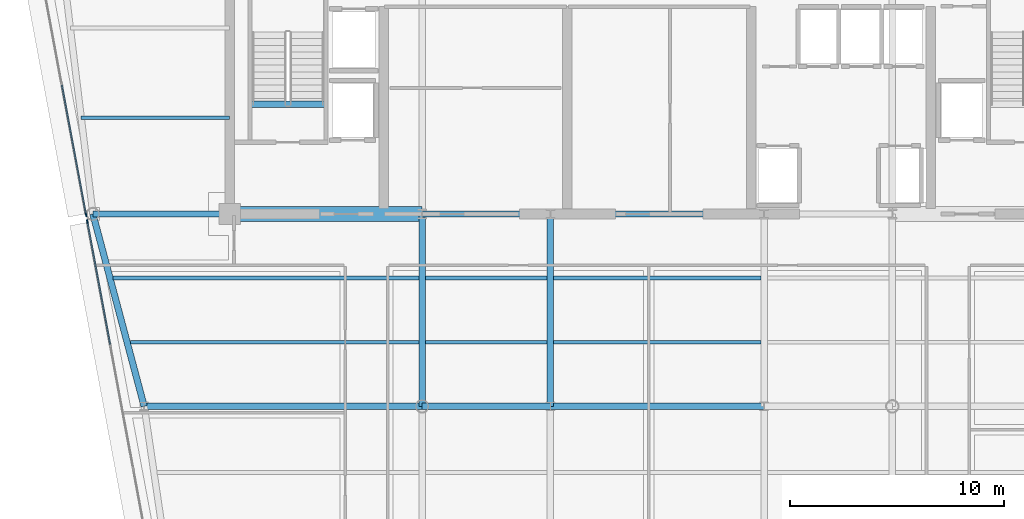
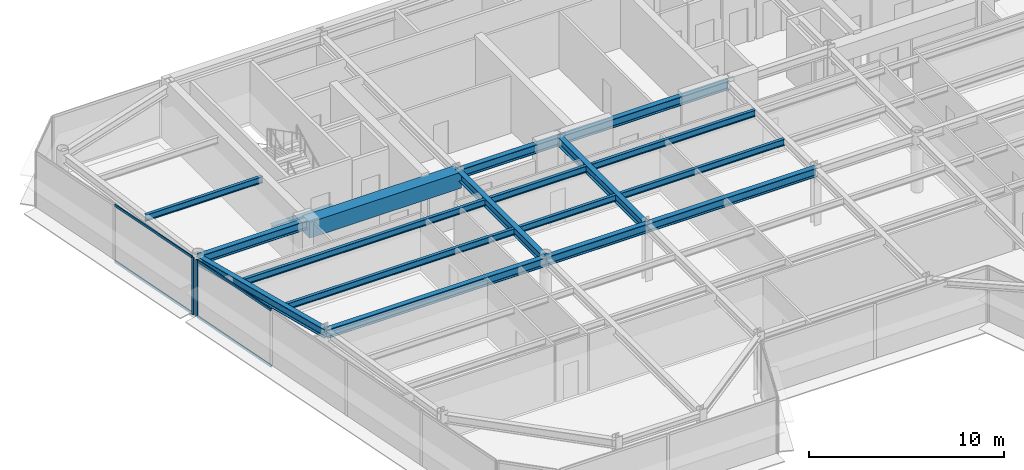
# One storey, part 4 of 19: 18 beams, 6 members, 2 elements without a shape of their own.
"""IFC4 building model written with IfcOpenShell, lengths in metres."""

from ifc_helpers import new_model, si_unit, direction, frame, origin, origin_2d, place, context, subcontext, project, spatial, rectangle, i_section, extrude, source, transform, mapped, material, layer, layer_set, material_profile, profile_set, type_object, element, aggregate, save


model = new_model("IFC4")

# Units and contexts
model_context = context("Model", 3, precision=1e-05, world=origin(), true_north=direction((0.0, 1.0)))
body_context = subcontext(model_context, "Body", "Model", "MODEL_VIEW")
ifc_project = project(units=[si_unit("LENGTHUNIT", "METRE"), si_unit("AREAUNIT", "SQUARE_METRE"), si_unit("VOLUMEUNIT", "CUBIC_METRE"), si_unit("PLANEANGLEUNIT", "RADIAN"), si_unit("MASSUNIT", "GRAM", prefix="KILO")], contexts=[model_context])

# Site, building, storey
site_placement = place(None, origin())
site = spatial("IfcSite", under=ifc_project, at=site_placement, CompositionType="ELEMENT")
building_placement = place(site_placement, origin())
building = spatial("IfcBuilding", under=site, at=building_placement, Name="Vaeldorn Concourse Tower", CompositionType="ELEMENT")
storey_placement = place(building_placement, frame((0.0, 0.0, 249.800048828125)))
storey = spatial("IfcBuildingStorey", under=building, at=storey_placement, Name="L64", CompositionType="ELEMENT", Elevation=249.800048828125)

# Beams
ifc_material_1 = material(Name="Concrete C50/60", Category="concrete")
ifc_material_profile_1 = material_profile(ifc_material_1, rectangle(XDim=0.699951171875, YDim=1.0, at=origin_2d()), Name="RC 700x1000")
ifc_profile_set_1 = profile_set([ifc_material_profile_1], Name="Concrete C50/60")
beam_type_1 = type_object("IfcBeamType", Name="BM-CB-RC700", PredefinedType="BEAM", material=ifc_profile_set_1)
shared_shape_1 = source(origin(), body_context, "Body", "SweptSolid", [
    extrude(rectangle(XDim=0.699951171875, YDim=1.0, at=origin_2d()), origin(), (0.0, 0.0, 1.0), 9.0),
])
beam_1_placement = place(storey_placement, frame((14.0, 36.5, 3.079833984375), z_axis=(1.0, 0.0, 0.0), x_axis=(0.0, 1.0, 0.0)))
element("IfcBeam", 1, at=beam_1_placement, inside=storey, type_object=beam_type_1, Name="Core Coupling Beam L64-1", PredefinedType="BEAM", context=body_context, shape_type="MappedRepresentation", body=[
    mapped(shared_shape_1, transform((0.0, 0.0, 0.0), scale=1.0)),
])
ifc_material_2 = material(Name="Steel S355", Category="steel")
ifc_material_profile_2 = material_profile(ifc_material_2, i_section(OverallWidth=0.300048828125, OverallDepth=0.340087890625, WebThickness=0.011962890625, FlangeThickness=0.021484375, FilletRadius=0.027099609375, at=origin_2d()), Name="HEB 340")
ifc_profile_set_2 = profile_set([ifc_material_profile_2], Name="Steel S355")
beam_type_2 = type_object("IfcBeamType", Name="BM-ST-TRIM", PredefinedType="BEAM", material=ifc_profile_set_2)
shared_shape_2 = source(origin(), body_context, "Body", "SweptSolid", [
    extrude(i_section(OverallWidth=0.300048828125, OverallDepth=0.340087890625, WebThickness=0.011962890625, FlangeThickness=0.021484375, FilletRadius=0.027099609375, at=origin_2d()), origin(), (0.0, 0.0, 1.0), 3.590087890625),
])
beam_2_placement = place(storey_placement, frame((14.929931640625, 41.639892578125, -0.39013671875), z_axis=(1.0, 0.0, 0.0), x_axis=(0.0, 1.0, 0.0)))
element("IfcBeam", 2, at=beam_2_placement, inside=storey, type_object=beam_type_2, Name="Stair Landing Trimmer Beam ST-1 L64", PredefinedType="BEAM", context=body_context, shape_type="MappedRepresentation", body=[
    mapped(shared_shape_2, transform((0.0, 0.0, 0.0), scale=1.0)),
])
ifc_material_profile_3 = material_profile(ifc_material_2, i_section(OverallWidth=0.179931640625, OverallDepth=0.39990234375, WebThickness=0.008544921875, FlangeThickness=0.013427734375, FilletRadius=0.02099609375, at=origin_2d()), Name="IPE 400")
ifc_profile_set_3 = profile_set([ifc_material_profile_3], Name="Steel S355")
beam_type_3 = type_object("IfcBeamType", Name="BM-JS-IPE400", PredefinedType="JOIST", material=ifc_profile_set_3)
shared_shape_3 = source(origin(), body_context, "Body", "SweptSolid", [
    extrude(i_section(OverallWidth=0.179931640625, OverallDepth=0.39990234375, WebThickness=0.008544921875, FlangeThickness=0.013427734375, FilletRadius=0.02099609375, at=origin_2d()), origin(), (0.0, 0.0, 1.0), 5.7001953125),
])
for number, where, z_axis, x_axis, name in (
    (3, (23.14990234375, 30.5, 3.3798828125), (1.0, 0.0, 0.0), (0.0, 1.0, 0.0), "Beam JS-L64-W2-305"),
    (4, (23.14990234375, 33.5, 3.3798828125), (1.0, 0.0, 0.0), (0.0, 1.0, 0.0), "Beam JS-L64-W2-335"),
):
    element("IfcBeam", number, at=place(storey_placement, frame(where, z_axis=z_axis, x_axis=x_axis)), inside=storey, type_object=beam_type_3, Name=name, PredefinedType="JOIST", context=body_context, shape_type="MappedRepresentation", body=[
        mapped(shared_shape_3, transform((0.0, 0.0, 0.0), scale=1.0)),
    ])
shared_shape_4 = source(origin(), body_context, "Body", "SweptSolid", [
    extrude(i_section(OverallWidth=0.179931640625, OverallDepth=0.39990234375, WebThickness=0.008544921875, FlangeThickness=0.013427734375, FilletRadius=0.02099609375, at=origin_2d()), origin(), (0.0, 0.0, 1.0), 9.7001953125),
])
for number, where, z_axis, x_axis, name in (
    (5, (29.14990234375, 30.5, 3.3798828125), (1.0, 0.0, 0.0), (0.0, 1.0, 0.0), "Beam JS-L64-C-305"),
    (6, (29.14990234375, 33.5, 3.3798828125), (1.0, 0.0, 0.0), (0.0, 1.0, 0.0), "Beam JS-L64-C-335"),
):
    element("IfcBeam", number, at=place(storey_placement, frame(where, z_axis=z_axis, x_axis=x_axis)), inside=storey, type_object=beam_type_3, Name=name, PredefinedType="JOIST", context=body_context, shape_type="MappedRepresentation", body=[
        mapped(shared_shape_4, transform((0.0, 0.0, 0.0), scale=1.0)),
    ])
shared_shape_5 = source(origin(), body_context, "Body", "SweptSolid", [
    extrude(i_section(OverallWidth=0.179931640625, OverallDepth=0.39990234375, WebThickness=0.008544921875, FlangeThickness=0.013427734375, FilletRadius=0.02099609375, at=origin_2d()), origin(), (0.0, 0.0, 1.0), 6.94775390625),
])
beam_3_placement = place(storey_placement, frame((7.05224609375, 41.0, 3.3798828125), z_axis=(1.0, 0.0, 0.0), x_axis=(0.0, 1.0, 0.0)))
element("IfcBeam", 7, at=beam_3_placement, inside=storey, type_object=beam_type_3, Name="Beam JS-L64-NW-410", PredefinedType="JOIST", context=body_context, shape_type="MappedRepresentation", body=[
    mapped(shared_shape_5, transform((0.0, 0.0, 0.0), scale=1.0)),
])
shared_shape_6 = source(origin(), body_context, "Body", "SweptSolid", [
    extrude(i_section(OverallWidth=0.179931640625, OverallDepth=0.39990234375, WebThickness=0.008544921875, FlangeThickness=0.013427734375, FilletRadius=0.02099609375, at=origin_2d()), origin(), (0.0, 0.0, 1.0), 13.5),
])
beam_4_placement = place(storey_placement, frame((9.35009765625, 30.5, 3.3798828125), z_axis=(1.0, 0.0, 0.0), x_axis=(0.0, 1.0, 0.0)))
element("IfcBeam", 8, at=beam_4_placement, inside=storey, type_object=beam_type_3, Name="Beam JS-L64-W1-305", PredefinedType="JOIST", context=body_context, shape_type="MappedRepresentation", body=[
    mapped(shared_shape_6, transform((0.0, 0.0, 0.0), scale=1.0)),
])
shared_shape_7 = source(origin(), body_context, "Body", "SweptSolid", [
    extrude(i_section(OverallWidth=0.179931640625, OverallDepth=0.39990234375, WebThickness=0.008544921875, FlangeThickness=0.013427734375, FilletRadius=0.02099609375, at=origin_2d()), origin(), (0.0, 0.0, 1.0), 14.300048828125),
])
beam_5_placement = place(storey_placement, frame((8.550048828125, 33.5, 3.3798828125), z_axis=(1.0, 0.0, 0.0), x_axis=(0.0, 1.0, 0.0)))
element("IfcBeam", 9, at=beam_5_placement, inside=storey, type_object=beam_type_3, Name="Beam JS-L64-W1-335", PredefinedType="JOIST", context=body_context, shape_type="MappedRepresentation", body=[
    mapped(shared_shape_7, transform((0.0, 0.0, 0.0), scale=1.0)),
])
ifc_material_profile_4 = material_profile(ifc_material_2, i_section(OverallWidth=0.300048828125, OverallDepth=0.550048828125, WebThickness=0.014892578125, FlangeThickness=0.029052734375, FilletRadius=0.027099609375, at=origin_2d()), Name="HEB 550")
ifc_profile_set_4 = profile_set([ifc_material_profile_4], Name="Steel S355")
beam_type_4 = type_object("IfcBeamType", Name="BM-PG-HEB550", PredefinedType="BEAM", material=ifc_profile_set_4)
shared_shape_8 = source(origin(), body_context, "Body", "SweptSolid", [
    extrude(i_section(OverallWidth=0.300048828125, OverallDepth=0.550048828125, WebThickness=0.014892578125, FlangeThickness=0.029052734375, FilletRadius=0.027099609375, at=origin_2d()), origin(), (0.0, 0.0, 1.0), 6.0),
])
for number, where, z_axis, x_axis, name in (
    (10, (23.0, 36.5, 3.304931640625), (1.0, 0.0, 0.0), (0.0, 1.0, 0.0), "Beam BM-L64-C-FC2-C-FC3"),
    (11, (23.0, 27.5, 3.304931640625), (1.0, 0.0, 0.0), (0.0, 1.0, 0.0), "Beam BM-L64-C-TW1-C-TW2"),
):
    element("IfcBeam", number, at=place(storey_placement, frame(where, z_axis=z_axis, x_axis=x_axis)), inside=storey, type_object=beam_type_4, Name=name, PredefinedType="BEAM", context=body_context, shape_type="MappedRepresentation", body=[
        mapped(shared_shape_8, transform((0.0, 0.0, 0.0), scale=1.0)),
    ])
shared_shape_9 = source(origin(), body_context, "Body", "SweptSolid", [
    extrude(i_section(OverallWidth=0.300048828125, OverallDepth=0.550048828125, WebThickness=0.014892578125, FlangeThickness=0.029052734375, FilletRadius=0.027099609375, at=origin_2d()), origin(), (0.0, 0.0, 1.0), 10.0),
])
for number, where, z_axis, x_axis, name in (
    (12, (29.0, 36.5, 3.304931640625), (1.0, 0.0, 0.0), (0.0, 1.0, 0.0), "Beam BM-L64-C-FC3-C-FC4"),
    (13, (29.0, 27.5, 3.304931640625), (1.0, 0.0, 0.0), (0.0, 1.0, 0.0), "Beam BM-L64-C-TW2-C-TW3"),
):
    element("IfcBeam", number, at=place(storey_placement, frame(where, z_axis=z_axis, x_axis=x_axis)), inside=storey, type_object=beam_type_4, Name=name, PredefinedType="BEAM", context=body_context, shape_type="MappedRepresentation", body=[
        mapped(shared_shape_9, transform((0.0, 0.0, 0.0), scale=1.0)),
    ])
shared_shape_10 = source(origin(), body_context, "Body", "SweptSolid", [
    extrude(i_section(OverallWidth=0.300048828125, OverallDepth=0.550048828125, WebThickness=0.014892578125, FlangeThickness=0.029052734375, FilletRadius=0.027099609375, at=origin_2d()), origin(), (0.0, 0.0, 1.0), 9.0),
])
for number, where, z_axis, x_axis, name in (
    (14, (23.0, 27.5, 3.304931640625), (0.0, 1.0, 0.0), (-1.0, 0.0, 0.0), "Beam BM-L64-C-TW1-C-FC2"),
    (15, (29.0, 27.5, 3.304931640625), (0.0, 1.0, 0.0), (-1.0, 0.0, 0.0), "Beam BM-L64-C-TW2-C-FC3"),
):
    element("IfcBeam", number, at=place(storey_placement, frame(where, z_axis=z_axis, x_axis=x_axis)), inside=storey, type_object=beam_type_4, Name=name, PredefinedType="BEAM", context=body_context, shape_type="MappedRepresentation", body=[
        mapped(shared_shape_10, transform((0.0, 0.0, 0.0), scale=1.0)),
    ])
shared_shape_11 = source(origin(), body_context, "Body", "SweptSolid", [
    extrude(i_section(OverallWidth=0.300048828125, OverallDepth=0.550048828125, WebThickness=0.014892578125, FlangeThickness=0.029052734375, FilletRadius=0.027099609375, at=origin_2d()), origin(), (0.0, 0.0, 1.0), 6.39990234375),
])
beam_6_placement = place(storey_placement, frame((7.60009765625, 36.5, 3.304931640625), z_axis=(1.0, 0.0, 0.0), x_axis=(0.0, 1.0, 0.0)))
element("IfcBeam", 16, at=beam_6_placement, inside=storey, type_object=beam_type_4, Name="Beam BM-L64-C-NW2-C-FC1", PredefinedType="BEAM", context=body_context, shape_type="MappedRepresentation", body=[
    mapped(shared_shape_11, transform((0.0, 0.0, 0.0), scale=1.0)),
])
shared_shape_12 = source(origin(), body_context, "Body", "SweptSolid", [
    extrude(i_section(OverallWidth=0.300048828125, OverallDepth=0.550048828125, WebThickness=0.014892578125, FlangeThickness=0.029052734375, FilletRadius=0.027099609375, at=origin_2d()), origin(), (0.0, 0.0, 1.0), 9.314453125),
])
beam_7_placement = place(storey_placement, frame((7.60009765625, 36.5, 3.304931640625), z_axis=(0.257652862255, -0.966237549763, 0.0), x_axis=(0.966237549763, 0.257652862255, 0.0)))
element("IfcBeam", 17, at=beam_7_placement, inside=storey, type_object=beam_type_4, Name="Beam BM-L64-C-NW2-C-FLW1", PredefinedType="BEAM", context=body_context, shape_type="MappedRepresentation", body=[
    mapped(shared_shape_12, transform((0.0, 0.0, 0.0), scale=1.0)),
])
shared_shape_13 = source(origin(), body_context, "Body", "SweptSolid", [
    extrude(i_section(OverallWidth=0.300048828125, OverallDepth=0.550048828125, WebThickness=0.014892578125, FlangeThickness=0.029052734375, FilletRadius=0.027099609375, at=origin_2d()), origin(), (0.0, 0.0, 1.0), 13.0),
])
beam_8_placement = place(storey_placement, frame((10.0, 27.5, 3.304931640625), z_axis=(1.0, 0.0, 0.0), x_axis=(0.0, 1.0, 0.0)))
element("IfcBeam", 18, at=beam_8_placement, inside=storey, type_object=beam_type_4, Name="Beam BM-L64-C-FLW1-C-TW1", PredefinedType="BEAM", context=body_context, shape_type="MappedRepresentation", body=[
    mapped(shared_shape_13, transform((0.0, 0.0, 0.0), scale=1.0)),
])

# Curtain wall, member
ifc_material_3 = material(Name="Anodised Bronze Aluminium", Category="aluminium")
ifc_layer = layer(ifc_material_3, 0.179931640625)
ifc_layer_set = layer_set([ifc_layer], Name="Anodised Bronze Aluminium")
curtain_wall_type = type_object("IfcCurtainWallType", Name="CW-SYS-05", PredefinedType="NOTDEFINED", material=ifc_layer_set)
curtain_wall_1_placement = place(storey_placement, origin())
curtain_wall_1 = element("IfcCurtainWall", 19, at=curtain_wall_1_placement, inside=storey, type_object=curtain_wall_type, Name="Unitised Curtain Wall CW-L64-E11-1", PredefinedType="NOTDEFINED")
ifc_material_profile_5 = material_profile(ifc_material_3, rectangle(XDim=0.06494140625, YDim=0.169921875, at=origin_2d()), Name="CWM 65x170")
ifc_profile_set_5 = profile_set([ifc_material_profile_5], Name="Anodised Bronze Aluminium")
member_type_1 = type_object("IfcMemberType", Name="CWM-BRONZE-170", PredefinedType="MULLION", material=ifc_profile_set_5)
shared_shape_14 = source(origin(), body_context, "Body", "SweptSolid", [
    extrude(rectangle(XDim=0.06494140625, YDim=0.169921875, at=origin_2d()), origin(), (0.0, 0.0, 1.0), 3.579833984375),
])
member_1_placement = place(storey_placement, frame((7.279052734375, 36.460205078125, 0.0), z_axis=(0.0, 0.0, 1.0), x_axis=(0.983102768025, 0.183054493257, 0.0)))
member_1 = element("IfcMember", 20, at=member_1_placement, type_object=member_type_1, Name="CW-05 mullion 3", PredefinedType="MULLION", context=body_context, shape_type="MappedRepresentation", body=[
    mapped(shared_shape_14, transform((0.0, 0.0, 0.0), scale=1.0)),
])

# Curtain wall, members
curtain_wall_2_placement = place(storey_placement, origin())
curtain_wall_2 = element("IfcCurtainWall", 21, at=curtain_wall_2_placement, inside=storey, type_object=curtain_wall_type, Name="Unitised Curtain Wall CW-L64-E11-2", PredefinedType="NOTDEFINED")
member_2_placement = place(storey_placement, frame((7.336181640625, 36.153076171875, 0.0), z_axis=(0.0, 0.0, 1.0), x_axis=(0.983102653673, 0.18305510739, 0.0)))
member_2 = element("IfcMember", 22, at=member_2_placement, type_object=member_type_1, Name="CW-05 mullion 1", PredefinedType="MULLION", context=body_context, shape_type="MappedRepresentation", body=[
    mapped(shared_shape_14, transform((0.0, 0.0, 0.0), scale=1.0)),
])
ifc_material_profile_6 = material_profile(ifc_material_3, rectangle(XDim=0.06494140625, YDim=0.14990234375, at=origin_2d()), Name="CWT 65x150")
ifc_profile_set_6 = profile_set([ifc_material_profile_6], Name="Anodised Bronze Aluminium")
member_type_2 = type_object("IfcMemberType", Name="CWT-BRONZE-150", PredefinedType="USERDEFINED", material=ifc_profile_set_6)
shared_shape_15 = source(origin(), body_context, "Body", "SweptSolid", [
    extrude(rectangle(XDim=0.06494140625, YDim=0.14990234375, at=origin_2d()), origin(), (0.0, 0.0, 1.0), 5.82373046875),
])
member_3_placement = place(storey_placement, frame((7.34228515625, 36.12109375, 0.032470703125), z_axis=(0.183030414843, -0.983107251139, 0.0), x_axis=(0.983107251139, 0.183030414843, 0.0)))
member_3 = element("IfcMember", 23, at=member_3_placement, type_object=member_type_2, Name="CW-05 transom 1.1", ObjectType="TRANSOM", PredefinedType="USERDEFINED", context=body_context, shape_type="MappedRepresentation", body=[
    mapped(shared_shape_15, transform((0.0, 0.0, 0.0), scale=1.0)),
])
member_4_placement = place(storey_placement, frame((7.34228515625, 36.12109375, 3.54736328125), z_axis=(0.183030414843, -0.983107251139, 0.0), x_axis=(0.983107251139, 0.183030414843, 0.0)))
member_4 = element("IfcMember", 24, at=member_4_placement, type_object=member_type_2, Name="CW-05 transom 1.2", ObjectType="TRANSOM", PredefinedType="USERDEFINED", context=body_context, shape_type="MappedRepresentation", body=[
    mapped(shared_shape_15, transform((0.0, 0.0, 0.0), scale=1.0)),
])
aggregate(curtain_wall_2, [member_2, member_3, member_4])

# Member
shared_shape_16 = source(origin(), body_context, "Body", "SweptSolid", [
    extrude(rectangle(XDim=0.06494140625, YDim=0.14990234375, at=origin_2d()), origin(), (0.0, 0.0, 1.0), 6.143798828125),
])
member_5_placement = place(storey_placement, frame((6.1484375, 42.5322265625, 0.032470703125), z_axis=(0.183069583935, -0.983099958009, 0.0), x_axis=(0.983099958009, 0.183069583935, 0.0)))
member_5 = element("IfcMember", 25, at=member_5_placement, type_object=member_type_2, Name="CW-05 transom 2.1", ObjectType="TRANSOM", PredefinedType="USERDEFINED", context=body_context, shape_type="MappedRepresentation", body=[
    mapped(shared_shape_16, transform((0.0, 0.0, 0.0), scale=1.0)),
])

member_6_placement = place(storey_placement, frame((6.1484375, 42.5322265625, 3.54736328125), z_axis=(0.183069583935, -0.983099958009, 0.0), x_axis=(0.983099958009, 0.183069583935, 0.0)))
member_6 = element("IfcMember", 26, at=member_6_placement, type_object=member_type_2, Name="CW-05 transom 2.2", ObjectType="TRANSOM", PredefinedType="USERDEFINED", context=body_context, shape_type="MappedRepresentation", body=[
    mapped(shared_shape_16, transform((0.0, 0.0, 0.0), scale=1.0)),
])

aggregate(curtain_wall_1, [member_1, member_5, member_6])

save(model, "model.ifc")
